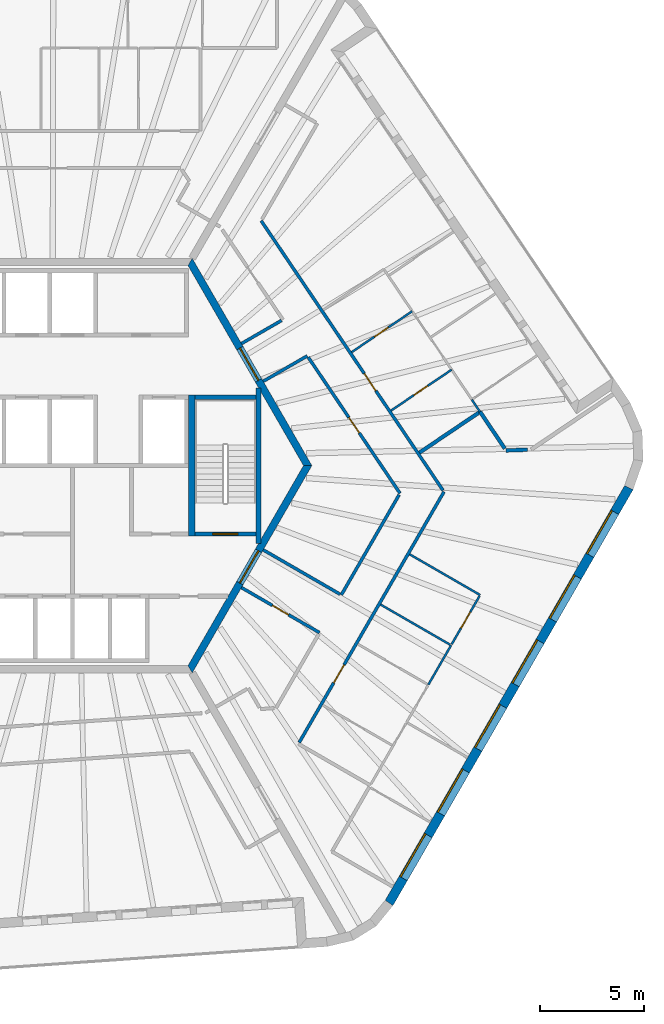
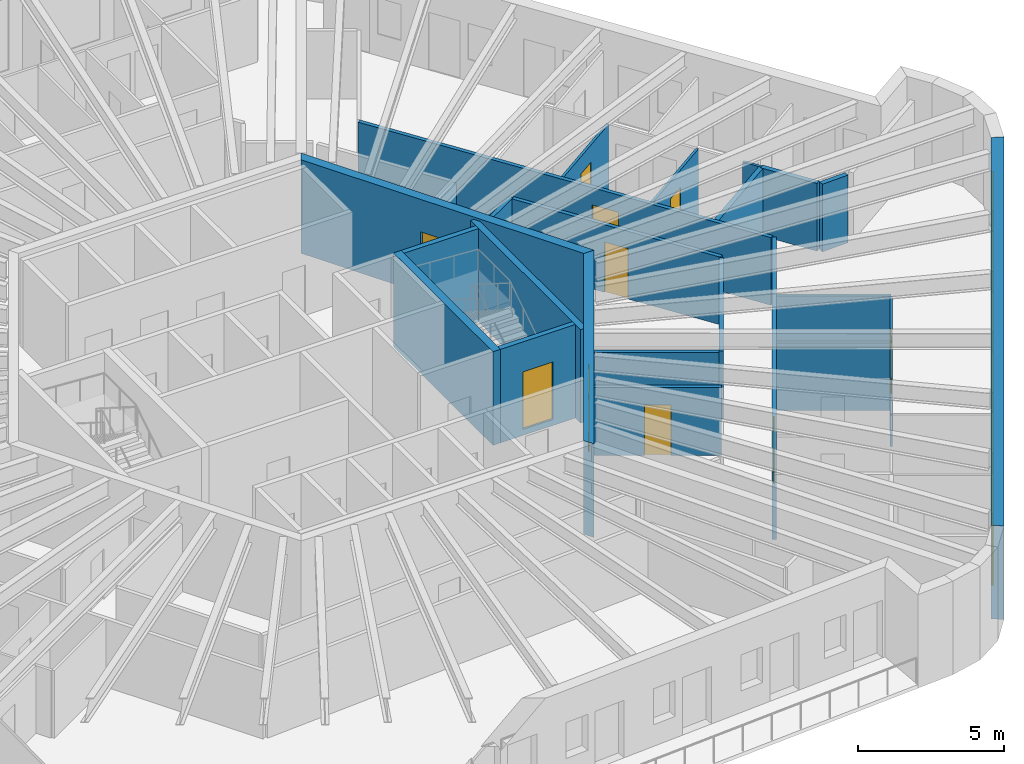
# One storey, part 6 of 11: 25 walls, 10 doors, 6 windows, 16 openings.
"""IFC4 building model written with IfcOpenShell, lengths in metres."""

from ifc_helpers import new_model, si_unit, direction, frame, frame_2d, origin, place, context, subcontext, project, spatial, polyline, rectangle, outline, extrude, material, layer, layer_set, type_object, element, fill, save


model = new_model("IFC4")

# Units and contexts
model_context = context("Model", 3, precision=1e-05, world=origin(), true_north=direction((0.0, 1.0)))
body_context = subcontext(model_context, "Body", "Model", "MODEL_VIEW")
ifc_project = project(units=[si_unit("LENGTHUNIT", "METRE"), si_unit("AREAUNIT", "SQUARE_METRE"), si_unit("VOLUMEUNIT", "CUBIC_METRE"), si_unit("PLANEANGLEUNIT", "RADIAN"), si_unit("MASSUNIT", "GRAM", prefix="KILO")], contexts=[model_context])

# Site, building, storey
site_placement = place(None, origin())
site = spatial("IfcSite", under=ifc_project, at=site_placement, CompositionType="ELEMENT")
building_placement = place(site_placement, origin())
building = spatial("IfcBuilding", under=site, at=building_placement, Name="Tarnside Tower", CompositionType="ELEMENT")
storey_placement = place(building_placement, frame((0.0, 0.0, 357.300048828125)))
storey = spatial("IfcBuildingStorey", under=building, at=storey_placement, Name="L86", CompositionType="ELEMENT", Elevation=357.300048828125)

# Walls
ifc_material_1 = material(Name="Gypsum board partition on steel studs", Category="steel")
ifc_layer_1 = layer(ifc_material_1, 0.10009765625)
ifc_layer_set_1 = layer_set([ifc_layer_1], Name="Bathroom wall 100")
wall_type_1 = type_object("IfcWallType", Name="Bathroom wall 100", PredefinedType="PARTITIONING", material=ifc_layer_set_1)
wall_1_placement = place(storey_placement, frame((18.26318359375, -8.66748046875, 0.0), z_axis=(0.0, 0.0, 1.0), x_axis=(-0.50002983664, -0.866008176907, 0.0)))
element("IfcWall", 1, at=wall_1_placement, inside=storey, type_object=wall_type_1, Name="Bathroom wall 27106", PredefinedType="PARTITIONING", context=body_context, shape_type="SweptSolid", body=[
    extrude(rectangle(XDim=2.199951171875, YDim=0.10009765625, at=frame_2d((1.10009765625, 0.0))), origin(), (0.0, 0.0, 1.0), 2.820068359375),
])
wall_2_placement = place(storey_placement, frame((18.2197265625, -8.642333984375, 0.0), z_axis=(0.0, 0.0, 1.0), x_axis=(-0.866016658288, 0.500015147339, 0.0)))
element("IfcWall", 2, at=wall_2_placement, inside=storey, type_object=wall_type_1, Name="Bathroom wall 27118", PredefinedType="PARTITIONING", context=body_context, shape_type="SweptSolid", body=[
    extrude(rectangle(XDim=3.875, YDim=0.10009765625, at=frame_2d((1.9375, 0.0))), origin(), (0.0, 0.0, 1.0), 2.820068359375),
])

# Wall, opening, door
wall_3_placement = place(storey_placement, frame((15.367431640625, 2.6552734375, 0.0), z_axis=(0.0, 0.0, 1.0), x_axis=(0.829033300448, 0.559199237078, 0.0)))
wall_3 = element("IfcWall", 3, at=wall_3_placement, inside=storey, type_object=wall_type_1, Name="Bathroom wall 27122", PredefinedType="PARTITIONING", context=body_context, shape_type="SweptSolid", body=[
    extrude(rectangle(XDim=3.525146484375, YDim=0.10009765625, at=frame_2d((1.7626953125, 0.0))), origin(), (0.0, 0.0, 1.0), 2.820068359375),
])
opening_1_placement = place(wall_3_placement, frame((1.324951171875, 0.0, 0.0)))
opening_1 = element("IfcOpeningElement", 4, at=opening_1_placement, cuts=wall_3, Name="Opening D-B1", PredefinedType="OPENING", context=body_context, shape_type="SweptSolid", body=[
    extrude(rectangle(XDim=0.800048828125, YDim=2.10009765625, at=frame_2d((0.39990234375, 1.050048828125))), frame((0.0, 0.06005859375, 0.0), z_axis=(0.0, -1.0, 0.0), x_axis=(1.0, 0.0, 0.0)), (0.0, 0.0, 1.0), 0.1201171875),
])
ifc_material_2 = material(Name="Timber door leaf", Category="wood")
door_type_1 = type_object("IfcDoorType", Name="Bathroom door 800", OperationType="NOTDEFINED", PredefinedType="DOOR", material=ifc_material_2)
door_1_placement = place(opening_1_placement, origin())
door_1 = element("IfcDoor", 5, at=door_1_placement, inside=storey, type_object=door_type_1, Name="Bathroom door 27045", OperationType="SINGLE_SWING_RIGHT", OverallHeight=2.10009765625, OverallWidth=0.800048828125, PredefinedType="DOOR", context=body_context, shape_type="SweptSolid", body=[
    extrude(rectangle(XDim=0.800048828125, YDim=2.10009765625, at=frame_2d((0.39990234375, 1.050048828125))), frame((0.0, 0.02490234375, 0.0), z_axis=(0.0, -1.0, 0.0), x_axis=(1.0, 0.0, 0.0)), (0.0, 0.0, 1.0), 0.050048828125),
])
fill(opening_1, door_1)

wall_4_placement = place(storey_placement, frame((16.388427734375, 7.4453125, 0.0), z_axis=(0.0, 0.0, 1.0), x_axis=(-0.829033300448, -0.559199237078, 0.0)))
wall_4 = element("IfcWall", 6, at=wall_4_placement, inside=storey, type_object=wall_type_1, Name="Bathroom wall 27125", PredefinedType="PARTITIONING", context=body_context, shape_type="SweptSolid", body=[
    extrude(rectangle(XDim=3.525146484375, YDim=0.10009765625, at=frame_2d((1.7626953125, 0.0))), origin(), (0.0, 0.0, 1.0), 2.820068359375),
])
opening_2_placement = place(wall_4_placement, frame((1.39990234375, 0.0, 0.0)))
opening_2 = element("IfcOpeningElement", 7, at=opening_2_placement, cuts=wall_4, Name="Opening D-B1", PredefinedType="OPENING", context=body_context, shape_type="SweptSolid", body=[
    extrude(rectangle(XDim=0.800048828125, YDim=2.10009765625, at=frame_2d((0.39990234375, 1.050048828125))), frame((0.0, 0.06005859375, 0.0), z_axis=(0.0, -1.0, 0.0), x_axis=(1.0, 0.0, 0.0)), (0.0, 0.0, 1.0), 0.1201171875),
])
door_2_placement = place(opening_2_placement, origin())
door_2 = element("IfcDoor", 8, at=door_2_placement, inside=storey, type_object=door_type_1, Name="Bathroom door 27056", OperationType="SINGLE_SWING_LEFT", OverallHeight=2.10009765625, OverallWidth=0.800048828125, PredefinedType="DOOR", context=body_context, shape_type="SweptSolid", body=[
    extrude(rectangle(XDim=0.800048828125, YDim=2.10009765625, at=frame_2d((0.39990234375, 1.050048828125))), frame((0.0, 0.02490234375, 0.0), z_axis=(0.0, -1.0, 0.0), x_axis=(1.0, 0.0, 0.0)), (0.0, 0.0, 1.0), 0.050048828125),
])
fill(opening_2, door_2)

# Wall
wall_5_placement = place(storey_placement, frame((19.660888671875, 2.59375, 0.0), z_axis=(0.0, 0.0, 1.0), x_axis=(-0.559278611344, 0.828979755418, 0.0)))
element("IfcWall", 9, at=wall_5_placement, inside=storey, type_object=wall_type_1, Name="Bathroom wall 27126", PredefinedType="PARTITIONING", context=body_context, shape_type="SweptSolid", body=[
    extrude(rectangle(XDim=0.71240234375, YDim=0.10009765625, at=frame_2d((0.356201171875, 0.0))), origin(), (0.0, 0.0, 1.0), 2.820068359375),
])

# Wall, opening, door
ifc_material_3 = material(Name="Concrete C50/60", Category="concrete")
ifc_layer_2 = layer(ifc_material_3, 0.35009765625)
ifc_layer_set_2 = layer_set([ifc_layer_2], Name="Core wall Z4 350 C50/60")
wall_type_2 = type_object("IfcWallType", Name="Core wall Z4 350 C50/60", PredefinedType="SHEAR", material=ifc_layer_set_2)
wall_6_placement = place(storey_placement, frame((5.672607421875, -9.824951171875, -0.150146484375), z_axis=(0.0, 0.0, 1.0), x_axis=(0.499995046907, 0.866028263435, 0.0)))
wall_6 = element("IfcWall", 10, at=wall_6_placement, inside=storey, type_object=wall_type_2, Name="L86 core wall face 5", PredefinedType="SHEAR", context=body_context, shape_type="SweptSolid", body=[
    extrude(outline(polyline([(-0.10107421875, -0.175048828125), (11.44580078125, -0.175048828125), (11.24365234375, 0.175048828125), (0.10107421875, 0.175048828125), (-0.10107421875, -0.175048828125)])), origin(), (0.0, 0.0, 1.0), 3.900146484375),
])
opening_3_placement = place(wall_6_placement, frame((4.80126953125, 0.0, 0.14990234375)))
opening_3 = element("IfcOpeningElement", 11, at=opening_3_placement, cuts=wall_6, Name="Opening CD-FFL", PredefinedType="OPENING", context=body_context, shape_type="SweptSolid", body=[
    extrude(rectangle(XDim=1.800048828125, YDim=2.39990234375, at=frame_2d((0.89990234375, 1.199951171875))), frame((0.0, 0.18505859375, 0.0), z_axis=(0.0, -1.0, 0.0), x_axis=(1.0, 0.0, 0.0)), (0.0, 0.0, 1.0), 0.3701171875),
])
ifc_material_4 = material(Name="Steel fire door", Category="steel")
door_type_2 = type_object("IfcDoorType", Name="Firefighting lobby double door FD60S 1800x2400", OperationType="NOTDEFINED", PredefinedType="DOOR", material=ifc_material_4)
door_3_placement = place(opening_3_placement, origin())
door_3 = element("IfcDoor", 12, at=door_3_placement, inside=storey, type_object=door_type_2, Name="L86 core door P4", OperationType="DOUBLE_DOOR_SINGLE_SWING", OverallHeight=2.39990234375, OverallWidth=1.800048828125, PredefinedType="DOOR", context=body_context, shape_type="SweptSolid", body=[
    extrude(rectangle(XDim=1.800048828125, YDim=2.39990234375, at=frame_2d((0.89990234375, 1.199951171875))), frame((0.0, 0.02490234375, 0.0), z_axis=(0.0, -1.0, 0.0), x_axis=(1.0, 0.0, 0.0)), (0.0, 0.0, 1.0), 0.050048828125),
])
fill(opening_3, door_3)

wall_7_placement = place(storey_placement, frame((11.344970703125, 0.0, -0.150146484375), z_axis=(0.0, 0.0, 1.0), x_axis=(-0.499995046907, 0.866028263435, 0.0)))
wall_7 = element("IfcWall", 13, at=wall_7_placement, inside=storey, type_object=wall_type_2, Name="L86 core wall face 6", PredefinedType="SHEAR", context=body_context, shape_type="SweptSolid", body=[
    extrude(outline(polyline([(-0.10107421875, -0.175048828125), (11.44580078125, -0.175048828125), (11.24365234375, 0.175048828125), (0.10107421875, 0.175048828125), (-0.10107421875, -0.175048828125)])), origin(), (0.0, 0.0, 1.0), 3.900146484375),
])
opening_4_placement = place(wall_7_placement, frame((4.74365234375, 0.0, 0.14990234375)))
opening_4 = element("IfcOpeningElement", 14, at=opening_4_placement, cuts=wall_7, Name="Opening CD-LOB", PredefinedType="OPENING", context=body_context, shape_type="SweptSolid", body=[
    extrude(rectangle(XDim=1.800048828125, YDim=2.39990234375, at=frame_2d((0.89990234375, 1.199951171875))), frame((0.0, 0.18505859375, 0.0), z_axis=(0.0, -1.0, 0.0), x_axis=(1.0, 0.0, 0.0)), (0.0, 0.0, 1.0), 0.3701171875),
])
door_type_3 = type_object("IfcDoorType", Name="Lobby double door FD30S 1800x2400", OperationType="NOTDEFINED", PredefinedType="DOOR", material=ifc_material_4)
door_4_placement = place(opening_4_placement, origin())
door_4 = element("IfcDoor", 15, at=door_4_placement, inside=storey, type_object=door_type_3, Name="L86 core door P2", OperationType="DOUBLE_DOOR_SINGLE_SWING", OverallHeight=2.39990234375, OverallWidth=1.800048828125, PredefinedType="DOOR", context=body_context, shape_type="SweptSolid", body=[
    extrude(rectangle(XDim=1.800048828125, YDim=2.39990234375, at=frame_2d((0.89990234375, 1.199951171875))), frame((0.0, 0.02490234375, 0.0), z_axis=(0.0, -1.0, 0.0), x_axis=(1.0, 0.0, 0.0)), (0.0, 0.0, 1.0), 0.050048828125),
])
fill(opening_4, door_4)

ifc_layer_3 = layer(ifc_material_1, 0.14990234375)
ifc_layer_set_3 = layer_set([ifc_layer_3], Name="Corridor wall 150 EI 60")
wall_type_3 = type_object("IfcWallType", Name="Corridor wall 150 EI 60", PredefinedType="PARTITIONING", material=ifc_layer_set_3)
wall_8_placement = place(storey_placement, frame((10.9365234375, -13.357421875, 0.0), z_axis=(0.0, 0.0, 1.0), x_axis=(0.499993317597, 0.866029261837, 0.0)))
wall_8 = element("IfcWall", 16, at=wall_8_placement, inside=storey, type_object=wall_type_3, Name="Corridor wall 27043", PredefinedType="PARTITIONING", context=body_context, shape_type="SweptSolid", body=[
    extrude(rectangle(XDim=13.966064453125, YDim=0.14990234375, at=frame_2d((6.98291015625, 0.0))), origin(), (0.0, 0.0, 1.0), 2.820068359375),
])
opening_5_placement = place(wall_8_placement, frame((3.324951171875, 0.0, 0.0)))
opening_5 = element("IfcOpeningElement", 17, at=opening_5_placement, cuts=wall_8, Name="Opening D-E1", PredefinedType="OPENING", context=body_context, shape_type="SweptSolid", body=[
    extrude(rectangle(XDim=1.0, YDim=2.10009765625, at=frame_2d((0.5, 1.050048828125))), frame((0.0, 0.0849609375, 0.0), z_axis=(0.0, -1.0, 0.0), x_axis=(1.0, 0.0, 0.0)), (0.0, 0.0, 1.0), 0.169921875),
])
door_type_4 = type_object("IfcDoorType", Name="Unit entrance door 1000 FD30S", OperationType="NOTDEFINED", PredefinedType="DOOR", material=ifc_material_2)
door_5_placement = place(opening_5_placement, origin())
door_5 = element("IfcDoor", 18, at=door_5_placement, inside=storey, type_object=door_type_4, Name="Unit door 27035", OperationType="SINGLE_SWING_LEFT", OverallHeight=2.10009765625, OverallWidth=1.0, PredefinedType="DOOR", context=body_context, shape_type="SweptSolid", body=[
    extrude(rectangle(XDim=1.0, YDim=2.10009765625, at=frame_2d((0.5, 1.050048828125))), frame((0.0, 0.02490234375, 0.0), z_axis=(0.0, -1.0, 0.0), x_axis=(1.0, 0.0, 0.0)), (0.0, 0.0, 1.0), 0.050048828125),
])
fill(opening_5, door_5)

wall_9_placement = place(storey_placement, frame((17.872802734375, -1.193359375, 0.0), z_axis=(0.0, 0.0, 1.0), x_axis=(-0.559195650252, 0.829035719821, 0.0)))
wall_9 = element("IfcWall", 19, at=wall_9_placement, inside=storey, type_object=wall_type_3, Name="Corridor wall 27044", PredefinedType="PARTITIONING", context=body_context, shape_type="SweptSolid", body=[
    extrude(rectangle(XDim=15.687744140625, YDim=0.14990234375, at=frame_2d((7.84375, 0.0))), origin(), (0.0, 0.0, 1.0), 2.820068359375),
])
opening_6_placement = place(wall_9_placement, frame((5.791748046875, 0.0, 0.0)))
opening_6 = element("IfcOpeningElement", 20, at=opening_6_placement, cuts=wall_9, Name="Opening D-E1", PredefinedType="OPENING", context=body_context, shape_type="SweptSolid", body=[
    extrude(rectangle(XDim=1.0, YDim=2.10009765625, at=frame_2d((0.5, 1.050048828125))), frame((0.0, 0.0849609375, 0.0), z_axis=(0.0, -1.0, 0.0), x_axis=(1.0, 0.0, 0.0)), (0.0, 0.0, 1.0), 0.169921875),
])
door_6_placement = place(opening_6_placement, origin())
door_6 = element("IfcDoor", 21, at=door_6_placement, inside=storey, type_object=door_type_4, Name="Unit door 27044", OperationType="SINGLE_SWING_LEFT", OverallHeight=2.10009765625, OverallWidth=1.0, PredefinedType="DOOR", context=body_context, shape_type="SweptSolid", body=[
    extrude(rectangle(XDim=1.0, YDim=2.10009765625, at=frame_2d((0.5, 1.050048828125))), frame((0.0, 0.02490234375, 0.0), z_axis=(0.0, -1.0, 0.0), x_axis=(1.0, 0.0, 0.0)), (0.0, 0.0, 1.0), 0.050048828125),
])
fill(opening_6, door_6)

# Wall
wall_10_placement = place(storey_placement, frame((9.19970703125, 4.065673828125, 0.0), z_axis=(0.0, 0.0, 1.0), x_axis=(0.866038240688, 0.499977765172, 0.0)))
element("IfcWall", 22, at=wall_10_placement, inside=storey, type_object=wall_type_3, Name="Corridor wall 27058", PredefinedType="PARTITIONING", context=body_context, shape_type="SweptSolid", body=[
    extrude(rectangle(XDim=2.45556640625, YDim=0.14990234375, at=frame_2d((1.227783203125, 0.0))), origin(), (0.0, 0.0, 1.0), 2.820068359375),
])

# Wall, opening, door
wall_11_placement = place(storey_placement, frame((11.368408203125, 5.231201171875, 0.0), z_axis=(0.0, 0.0, 1.0), x_axis=(0.55919388604, -0.829036909803, 0.0)))
wall_11 = element("IfcWall", 23, at=wall_11_placement, inside=storey, type_object=wall_type_3, Name="Corridor wall 27059", PredefinedType="PARTITIONING", context=body_context, shape_type="SweptSolid", body=[
    extrude(rectangle(XDim=7.921875, YDim=0.14990234375, at=frame_2d((3.9609375, 0.0))), origin(), (0.0, 0.0, 1.0), 2.820068359375),
])
opening_7_placement = place(wall_11_placement, frame((3.510986328125, 0.0, 0.0)))
opening_7 = element("IfcOpeningElement", 24, at=opening_7_placement, cuts=wall_11, Name="Opening D-S1", PredefinedType="OPENING", context=body_context, shape_type="SweptSolid", body=[
    extrude(rectangle(XDim=0.89990234375, YDim=2.10009765625, at=frame_2d((0.449951171875, 1.050048828125))), frame((0.0, 0.0849609375, 0.0), z_axis=(0.0, -1.0, 0.0), x_axis=(1.0, 0.0, 0.0)), (0.0, 0.0, 1.0), 0.169921875),
])
door_type_5 = type_object("IfcDoorType", Name="Service room door 900 FD30S", OperationType="NOTDEFINED", PredefinedType="DOOR", material=ifc_material_2)
door_7_placement = place(opening_7_placement, origin())
door_7 = element("IfcDoor", 25, at=door_7_placement, inside=storey, type_object=door_type_5, Name="Service door 27063", OperationType="SINGLE_SWING_RIGHT", OverallHeight=2.10009765625, OverallWidth=0.89990234375, PredefinedType="DOOR", context=body_context, shape_type="SweptSolid", body=[
    extrude(rectangle(XDim=0.89990234375, YDim=2.10009765625, at=frame_2d((0.449951171875, 1.050048828125))), frame((0.0, 0.02490234375, 0.0), z_axis=(0.0, -1.0, 0.0), x_axis=(1.0, 0.0, 0.0)), (0.0, 0.0, 1.0), 0.050048828125),
])
fill(opening_7, door_7)

# Walls
wall_12_placement = place(storey_placement, frame((15.756591796875, -1.40869140625, 0.0), z_axis=(0.0, 0.0, 1.0), x_axis=(-0.500002739321, -0.866023822231, 0.0)))
element("IfcWall", 26, at=wall_12_placement, inside=storey, type_object=wall_type_3, Name="Corridor wall 27060", PredefinedType="PARTITIONING", context=body_context, shape_type="SweptSolid", body=[
    extrude(rectangle(XDim=5.57958984375, YDim=0.14990234375, at=frame_2d((2.789794921875, 0.0))), origin(), (0.0, 0.0, 1.0), 2.820068359375),
])
wall_13_placement = place(storey_placement, frame((12.90185546875, -6.203125, 0.0), z_axis=(0.0, 0.0, 1.0), x_axis=(-0.866023907196, 0.500002592159, 0.0)))
element("IfcWall", 27, at=wall_13_placement, inside=storey, type_object=wall_type_3, Name="Corridor wall 27061", PredefinedType="PARTITIONING", context=body_context, shape_type="SweptSolid", body=[
    extrude(rectangle(XDim=4.27490234375, YDim=0.14990234375, at=frame_2d((2.137451171875, 0.0))), origin(), (0.0, 0.0, 1.0), 2.820068359375),
])

# Wall, opening, door
wall_14_placement = place(storey_placement, frame((8.149658203125, -5.88427734375, 0.0), z_axis=(0.0, 0.0, 1.0), x_axis=(0.866027639635, -0.499996127374, 0.0)))
wall_14 = element("IfcWall", 28, at=wall_14_placement, inside=storey, type_object=wall_type_3, Name="Corridor wall 27062", PredefinedType="PARTITIONING", context=body_context, shape_type="SweptSolid", body=[
    extrude(rectangle(XDim=4.35009765625, YDim=0.14990234375, at=frame_2d((2.175048828125, 0.0))), origin(), (0.0, 0.0, 1.0), 2.820068359375),
])
opening_8_placement = place(wall_14_placement, frame((1.72509765625, 0.0, 0.0)))
opening_8 = element("IfcOpeningElement", 29, at=opening_8_placement, cuts=wall_14, Name="Opening D-S1", PredefinedType="OPENING", context=body_context, shape_type="SweptSolid", body=[
    extrude(rectangle(XDim=0.89990234375, YDim=2.10009765625, at=frame_2d((0.449951171875, 1.050048828125))), frame((0.0, 0.0849609375, 0.0), z_axis=(0.0, -1.0, 0.0), x_axis=(1.0, 0.0, 0.0)), (0.0, 0.0, 1.0), 0.169921875),
])
door_8_placement = place(opening_8_placement, origin())
door_8 = element("IfcDoor", 30, at=door_8_placement, inside=storey, type_object=door_type_5, Name="Service door 27064", OperationType="SINGLE_SWING_LEFT", OverallHeight=2.10009765625, OverallWidth=0.89990234375, PredefinedType="DOOR", context=body_context, shape_type="SweptSolid", body=[
    extrude(rectangle(XDim=0.89990234375, YDim=2.10009765625, at=frame_2d((0.449951171875, 1.050048828125))), frame((0.0, 0.02490234375, 0.0), z_axis=(0.0, -1.0, 0.0), x_axis=(1.0, 0.0, 0.0)), (0.0, 0.0, 1.0), 0.050048828125),
])
fill(opening_8, door_8)

# Walls
wall_15_placement = place(storey_placement, frame((10.083984375, 7.001220703125, 0.0), z_axis=(0.0, 0.0, 1.0), x_axis=(-0.865994457699, -0.500053596362, 0.0)))
element("IfcWall", 31, at=wall_15_placement, inside=storey, type_object=wall_type_3, Name="Corridor wall 27069", PredefinedType="PARTITIONING", context=body_context, shape_type="SweptSolid", body=[
    extrude(rectangle(XDim=2.233642578125, YDim=0.14990234375, at=frame_2d((1.11669921875, 0.0))), origin(), (0.0, 0.0, 1.0), 2.820068359375),
])
ifc_layer_4 = layer(ifc_material_1, 0.179931640625)
ifc_layer_set_4 = layer_set([ifc_layer_4], Name="Demising wall 180 EI 60")
wall_type_4 = type_object("IfcWallType", Name="Demising wall 180 EI 60", PredefinedType="PARTITIONING", material=ifc_layer_set_4)
wall_16_placement = place(storey_placement, frame((19.65966796875, 2.595458984375, 0.0), z_axis=(0.0, 0.0, 1.0), x_axis=(-0.829033300448, -0.559199237078, 0.0)))
element("IfcWall", 32, at=wall_16_placement, inside=storey, type_object=wall_type_4, Name="Demising wall 27109", PredefinedType="PARTITIONING", context=body_context, shape_type="SweptSolid", body=[
    extrude(rectangle(XDim=3.525146484375, YDim=0.179931640625, at=frame_2d((1.7626953125, 0.0))), origin(), (0.0, 0.0, 1.0), 2.820068359375),
])
wall_17_placement = place(storey_placement, frame((21.955322265625, 0.7666015625, 0.0), z_axis=(0.0, 0.0, 1.0), x_axis=(-0.999394211814, -0.034802433729, 0.0)))
element("IfcWall", 33, at=wall_17_placement, inside=storey, type_object=wall_type_4, Name="Demising wall 27111", PredefinedType="PARTITIONING", context=body_context, shape_type="SweptSolid", body=[
    extrude(rectangle(XDim=1.038330078125, YDim=0.179931640625, at=frame_2d((0.51904296875, 0.0))), origin(), (0.0, 0.0, 1.0), 2.820068359375),
])
wall_18_placement = place(storey_placement, frame((20.8583984375, 0.818359375, 0.0), z_axis=(0.0, 0.0, 1.0), x_axis=(-0.55920528272, 0.829029222512, 0.0)))
element("IfcWall", 34, at=wall_18_placement, inside=storey, type_object=wall_type_4, Name="Demising wall 27112", PredefinedType="PARTITIONING", context=body_context, shape_type="SweptSolid", body=[
    extrude(rectangle(XDim=2.147216796875, YDim=0.179931640625, at=frame_2d((1.07373046875, 0.0))), origin(), (0.0, 0.0, 1.0), 2.820068359375),
])
ifc_material_5 = material(Name="Concrete C40/50", Category="concrete")
ifc_layer_5 = layer(ifc_material_5, 0.199951171875)
ifc_layer_set_5 = layer_set([ifc_layer_5], Name="Lift shaft wall 200 C40/50")
wall_type_5 = type_object("IfcWallType", Name="Lift shaft wall 200 C40/50", PredefinedType="SHEAR", material=ifc_layer_set_5)
wall_19_placement = place(storey_placement, frame((5.89990234375, 3.300048828125, -0.25), z_axis=(0.0, 0.0, 1.0), x_axis=(1.0, 0.0, 0.0)))
element("IfcWall", 35, at=wall_19_placement, inside=storey, type_object=wall_type_5, Name="L86 stair 1 enclosure cap wall n", PredefinedType="SHEAR", context=body_context, shape_type="SweptSolid", body=[
    extrude(rectangle(XDim=2.9501953125, YDim=0.199951171875, at=frame_2d((1.47509765625, 0.0))), origin(), (0.0, 0.0, 1.0), 3.89990234375),
])

# Wall, opening, door
wall_20_placement = place(storey_placement, frame((5.89990234375, -3.300048828125, -0.25), z_axis=(0.0, 0.0, 1.0), x_axis=(1.0, 0.0, 0.0)))
wall_20 = element("IfcWall", 36, at=wall_20_placement, inside=storey, type_object=wall_type_5, Name="L86 stair 1 enclosure cap wall s", PredefinedType="SHEAR", context=body_context, shape_type="SweptSolid", body=[
    extrude(rectangle(XDim=2.9501953125, YDim=0.199951171875, at=frame_2d((1.47509765625, 0.0))), origin(), (0.0, 0.0, 1.0), 3.89990234375),
])
opening_9_placement = place(wall_20_placement, frame((0.875, 0.0, 0.25)))
opening_9 = element("IfcOpeningElement", 37, at=opening_9_placement, cuts=wall_20, Name="Opening CD-STR", PredefinedType="OPENING", context=body_context, shape_type="SweptSolid", body=[
    extrude(rectangle(XDim=1.199951171875, YDim=2.39990234375, at=frame_2d((0.60009765625, 1.199951171875))), frame((0.0, 0.10986328125, 0.0), z_axis=(0.0, -1.0, 0.0), x_axis=(1.0, 0.0, 0.0)), (0.0, 0.0, 1.0), 0.219970703125),
])
door_type_6 = type_object("IfcDoorType", Name="Stair door FD60S 1200x2400", OperationType="NOTDEFINED", PredefinedType="DOOR", material=ifc_material_4)
door_9_placement = place(opening_9_placement, origin())
door_9 = element("IfcDoor", 38, at=door_9_placement, inside=storey, type_object=door_type_6, Name="L86 stair 1 door", OperationType="SINGLE_SWING_LEFT", OverallHeight=2.39990234375, OverallWidth=1.199951171875, PredefinedType="DOOR", context=body_context, shape_type="SweptSolid", body=[
    extrude(rectangle(XDim=1.199951171875, YDim=2.39990234375, at=frame_2d((0.60009765625, 1.199951171875))), frame((0.0, 0.02490234375, 0.0), z_axis=(0.0, -1.0, 0.0), x_axis=(1.0, 0.0, 0.0)), (0.0, 0.0, 1.0), 0.050048828125),
])
fill(opening_9, door_9)

# Wall
ifc_layer_6 = layer(ifc_material_1, 0.10009765625)
ifc_layer_set_6 = layer_set([ifc_layer_6], Name="Partition 100")
wall_type_6 = type_object("IfcWallType", Name="Partition 100", PredefinedType="PARTITIONING", material=ifc_layer_set_6)
wall_21_placement = place(storey_placement, frame((16.263916015625, -4.280029296875, 0.0), z_axis=(0.0, 0.0, 1.0), x_axis=(0.866037464623, -0.499979109433, 0.0)))
element("IfcWall", 39, at=wall_21_placement, inside=storey, type_object=wall_type_6, Name="Partition wall 27107", PredefinedType="PARTITIONING", context=body_context, shape_type="SweptSolid", body=[
    extrude(rectangle(XDim=3.925048828125, YDim=0.10009765625, at=frame_2d((1.96240234375, 0.0))), origin(), (0.0, 0.0, 1.0), 2.820068359375),
])

# Wall, opening, door
wall_22_placement = place(storey_placement, frame((19.63818359375, -6.285888671875, 0.0), z_axis=(0.0, 0.0, 1.0), x_axis=(-0.500048589285, -0.86599734893, 0.0)))
wall_22 = element("IfcWall", 40, at=wall_22_placement, inside=storey, type_object=wall_type_6, Name="Partition wall 27108", PredefinedType="PARTITIONING", context=body_context, shape_type="SweptSolid", body=[
    extrude(rectangle(XDim=2.699951171875, YDim=0.10009765625, at=frame_2d((1.35009765625, 0.0))), origin(), (0.0, 0.0, 1.0), 2.820068359375),
])
opening_10_placement = place(wall_22_placement, frame((0.89990234375, 0.0, 0.0)))
opening_10 = element("IfcOpeningElement", 41, at=opening_10_placement, cuts=wall_22, Name="Opening D-I1", PredefinedType="OPENING", context=body_context, shape_type="SweptSolid", body=[
    extrude(rectangle(XDim=0.89990234375, YDim=2.10009765625, at=frame_2d((0.449951171875, 1.050048828125))), frame((0.0, 0.06005859375, 0.0), z_axis=(0.0, -1.0, 0.0), x_axis=(1.0, 0.0, 0.0)), (0.0, 0.0, 1.0), 0.1201171875),
])
door_type_7 = type_object("IfcDoorType", Name="Internal door 900", OperationType="NOTDEFINED", PredefinedType="DOOR", material=ifc_material_2)
door_10_placement = place(opening_10_placement, origin())
door_10 = element("IfcDoor", 42, at=door_10_placement, inside=storey, type_object=door_type_7, Name="Internal door 27043", OperationType="SINGLE_SWING_LEFT", OverallHeight=2.10009765625, OverallWidth=0.89990234375, PredefinedType="DOOR", context=body_context, shape_type="SweptSolid", body=[
    extrude(rectangle(XDim=0.89990234375, YDim=2.10009765625, at=frame_2d((0.449951171875, 1.050048828125))), frame((0.0, 0.02490234375, 0.0), z_axis=(0.0, -1.0, 0.0), x_axis=(1.0, 0.0, 0.0)), (0.0, 0.0, 1.0), 0.050048828125),
])
fill(opening_10, door_10)

# Walls
ifc_layer_7 = layer(ifc_material_5, 0.25)
ifc_layer_set_7 = layer_set([ifc_layer_7], Name="Stair enclosure wall 250 C40/50")
wall_type_7 = type_object("IfcWallType", Name="Stair enclosure wall 250 C40/50", PredefinedType="SHEAR", material=ifc_layer_set_7)
wall_23_placement = place(storey_placement, frame((8.97509765625, -3.7548828125, -0.25), z_axis=(0.0, 0.0, 1.0), x_axis=(0.0, 1.0, 0.0)))
element("IfcWall", 43, at=wall_23_placement, inside=storey, type_object=wall_type_7, Name="L86 stair 1 enclosure wall outer", PredefinedType="SHEAR", context=body_context, shape_type="SweptSolid", body=[
    extrude(rectangle(XDim=7.509765625, YDim=0.25, at=frame_2d((3.7548828125, 0.0))), origin(), (0.0, 0.0, 1.0), 3.89990234375),
])
ifc_layer_8 = layer(ifc_material_5, 0.300048828125)
ifc_layer_set_8 = layer_set([ifc_layer_8], Name="Stair enclosure wall 300 C40/50")
wall_type_8 = type_object("IfcWallType", Name="Stair enclosure wall 300 C40/50", PredefinedType="SHEAR", material=ifc_layer_set_8)
wall_24_placement = place(storey_placement, frame((5.75, -3.39990234375, -0.25), z_axis=(0.0, 0.0, 1.0), x_axis=(0.0, 1.0, 0.0)))
element("IfcWall", 44, at=wall_24_placement, inside=storey, type_object=wall_type_8, Name="L86 stair 1 enclosure wall inner", PredefinedType="SHEAR", context=body_context, shape_type="SweptSolid", body=[
    extrude(rectangle(XDim=6.7998046875, YDim=0.300048828125, at=frame_2d((3.39990234375, 0.0))), origin(), (0.0, 0.0, 1.0), 3.89990234375),
])

# Wall, openings, windows
ifc_material_6 = material(Name="Facing brick", Category="masonry")
ifc_layer_9 = layer(ifc_material_6, 0.10205078125)
ifc_material_7 = material(Name="Concrete C60/75 precast", Category="concrete")
ifc_layer_10 = layer(ifc_material_7, 0.248046875)
ifc_material_8 = material(Name="Mineral wool insulation")
ifc_layer_11 = layer(ifc_material_8, 0.10009765625)
ifc_layer_set_9 = layer_set([ifc_layer_9, ifc_layer_10, ifc_layer_11], Name="Tube wall 450 brick faced")
wall_type_9 = type_object("IfcWallType", Name="Tube wall 450 brick faced", PredefinedType="SOLIDWALL", material=ifc_layer_set_9)
wall_25_placement = place(storey_placement, frame((15.272705078125, -21.096923828125, -0.150146484375), z_axis=(0.0, 0.0, 1.0), x_axis=(0.499997453958, 0.866026873738, 0.0)))
wall_25 = element("IfcWall", 45, at=wall_25_placement, inside=storey, type_object=wall_type_9, Name="Tube wall L86 F5 flush 24", PredefinedType="SOLIDWALL", context=body_context, shape_type="SweptSolid", body=[
    extrude(outline(polyline([(-0.018310546875, -0.22509765625), (23.15234375, -0.22509765625), (23.1103515625, 0.22509765625), (0.018310546875, 0.22509765625), (-0.018310546875, -0.22509765625)])), origin(), (0.0, 0.0, 1.0), 3.900146484375),
])
opening_11_placement = place(wall_25_placement, frame((1.36572265625, 0.0, 0.449951171875)))
opening_11 = element("IfcOpeningElement", 46, at=opening_11_placement, cuts=wall_25, Name="Opening WP", PredefinedType="OPENING", context=body_context, shape_type="SweptSolid", body=[
    extrude(rectangle(XDim=2.39990234375, YDim=3.0, at=frame_2d((1.199951171875, 1.5))), frame((0.0, 0.23486328125, 0.0), z_axis=(0.0, -1.0, 0.0), x_axis=(1.0, 0.0, 0.0)), (0.0, 0.0, 1.0), 0.469970703125),
])
opening_12_placement = place(wall_25_placement, frame((4.9658203125, 0.0, 0.449951171875)))
opening_12 = element("IfcOpeningElement", 47, at=opening_12_placement, cuts=wall_25, Name="Opening WP", PredefinedType="OPENING", context=body_context, shape_type="SweptSolid", body=[
    extrude(rectangle(XDim=2.39990234375, YDim=3.0, at=frame_2d((1.199951171875, 1.5))), frame((0.0, 0.23486328125, 0.0), z_axis=(0.0, -1.0, 0.0), x_axis=(1.0, 0.0, 0.0)), (0.0, 0.0, 1.0), 0.469970703125),
])
opening_13_placement = place(wall_25_placement, frame((8.56591796875, 0.0, 0.449951171875)))
opening_13 = element("IfcOpeningElement", 48, at=opening_13_placement, cuts=wall_25, Name="Opening WP", PredefinedType="OPENING", context=body_context, shape_type="SweptSolid", body=[
    extrude(rectangle(XDim=2.39990234375, YDim=3.0, at=frame_2d((1.199951171875, 1.5))), frame((0.0, 0.23486328125, 0.0), z_axis=(0.0, -1.0, 0.0), x_axis=(1.0, 0.0, 0.0)), (0.0, 0.0, 1.0), 0.469970703125),
])
opening_14_placement = place(wall_25_placement, frame((12.165771484375, 0.0, 0.449951171875)))
opening_14 = element("IfcOpeningElement", 49, at=opening_14_placement, cuts=wall_25, Name="Opening WP", PredefinedType="OPENING", context=body_context, shape_type="SweptSolid", body=[
    extrude(rectangle(XDim=2.39990234375, YDim=3.0, at=frame_2d((1.199951171875, 1.5))), frame((0.0, 0.23486328125, 0.0), z_axis=(0.0, -1.0, 0.0), x_axis=(1.0, 0.0, 0.0)), (0.0, 0.0, 1.0), 0.469970703125),
])
opening_15_placement = place(wall_25_placement, frame((15.765869140625, 0.0, 0.449951171875)))
opening_15 = element("IfcOpeningElement", 50, at=opening_15_placement, cuts=wall_25, Name="Opening WP", PredefinedType="OPENING", context=body_context, shape_type="SweptSolid", body=[
    extrude(rectangle(XDim=2.39990234375, YDim=3.0, at=frame_2d((1.199951171875, 1.5))), frame((0.0, 0.23486328125, 0.0), z_axis=(0.0, -1.0, 0.0), x_axis=(1.0, 0.0, 0.0)), (0.0, 0.0, 1.0), 0.469970703125),
])
opening_16_placement = place(wall_25_placement, frame((19.36572265625, 0.0, 0.449951171875)))
opening_16 = element("IfcOpeningElement", 51, at=opening_16_placement, cuts=wall_25, Name="Opening WP", PredefinedType="OPENING", context=body_context, shape_type="SweptSolid", body=[
    extrude(rectangle(XDim=2.39990234375, YDim=3.0, at=frame_2d((1.199951171875, 1.5))), frame((0.0, 0.23486328125, 0.0), z_axis=(0.0, -1.0, 0.0), x_axis=(1.0, 0.0, 0.0)), (0.0, 0.0, 1.0), 0.469970703125),
])
ifc_material_9 = material(Name="Aluminium-framed double glazing", Category="aluminium")
window_type = type_object("IfcWindowType", Name="Penthouse window 2400 x 3000", PartitioningType="DOUBLE_PANEL_VERTICAL", PredefinedType="WINDOW", material=ifc_material_9)
window_1_placement = place(opening_11_placement, frame((0.0, 0.1552734375, 0.0)))
window_1 = element("IfcWindow", 52, at=window_1_placement, inside=storey, type_object=window_type, Name="E.WN.L86.F5.00", OverallHeight=3.0, OverallWidth=2.39990234375, PartitioningType="DOUBLE_PANEL_VERTICAL", PredefinedType="WINDOW", context=body_context, shape_type="SweptSolid", body=[
    extrude(rectangle(XDim=2.39990234375, YDim=3.0, at=frame_2d((1.199951171875, 1.5))), frame((0.0, 0.030029296875, 0.0), z_axis=(0.0, -1.0, 0.0), x_axis=(1.0, 0.0, 0.0)), (0.0, 0.0, 1.0), 0.06005859375),
])
fill(opening_11, window_1)
window_2_placement = place(opening_12_placement, frame((0.0, 0.1552734375, 0.0)))
window_2 = element("IfcWindow", 53, at=window_2_placement, inside=storey, type_object=window_type, Name="E.WN.L86.F5.01", OverallHeight=3.0, OverallWidth=2.39990234375, PartitioningType="DOUBLE_PANEL_VERTICAL", PredefinedType="WINDOW", context=body_context, shape_type="SweptSolid", body=[
    extrude(rectangle(XDim=2.39990234375, YDim=3.0, at=frame_2d((1.199951171875, 1.5))), frame((0.0, 0.030029296875, 0.0), z_axis=(0.0, -1.0, 0.0), x_axis=(1.0, 0.0, 0.0)), (0.0, 0.0, 1.0), 0.06005859375),
])
fill(opening_12, window_2)
window_3_placement = place(opening_13_placement, frame((0.0, 0.1552734375, 0.0)))
window_3 = element("IfcWindow", 54, at=window_3_placement, inside=storey, type_object=window_type, Name="E.WN.L86.F5.02", OverallHeight=3.0, OverallWidth=2.39990234375, PartitioningType="DOUBLE_PANEL_VERTICAL", PredefinedType="WINDOW", context=body_context, shape_type="SweptSolid", body=[
    extrude(rectangle(XDim=2.39990234375, YDim=3.0, at=frame_2d((1.199951171875, 1.5))), frame((0.0, 0.030029296875, 0.0), z_axis=(0.0, -1.0, 0.0), x_axis=(1.0, 0.0, 0.0)), (0.0, 0.0, 1.0), 0.06005859375),
])
fill(opening_13, window_3)
window_4_placement = place(opening_14_placement, frame((0.0, 0.1552734375, 0.0)))
window_4 = element("IfcWindow", 55, at=window_4_placement, inside=storey, type_object=window_type, Name="E.WN.L86.F5.03", OverallHeight=3.0, OverallWidth=2.39990234375, PartitioningType="DOUBLE_PANEL_VERTICAL", PredefinedType="WINDOW", context=body_context, shape_type="SweptSolid", body=[
    extrude(rectangle(XDim=2.39990234375, YDim=3.0, at=frame_2d((1.199951171875, 1.5))), frame((0.0, 0.030029296875, 0.0), z_axis=(0.0, -1.0, 0.0), x_axis=(1.0, 0.0, 0.0)), (0.0, 0.0, 1.0), 0.06005859375),
])
fill(opening_14, window_4)
window_5_placement = place(opening_15_placement, frame((0.0, 0.1552734375, 0.0)))
window_5 = element("IfcWindow", 56, at=window_5_placement, inside=storey, type_object=window_type, Name="E.WN.L86.F5.04", OverallHeight=3.0, OverallWidth=2.39990234375, PartitioningType="DOUBLE_PANEL_VERTICAL", PredefinedType="WINDOW", context=body_context, shape_type="SweptSolid", body=[
    extrude(rectangle(XDim=2.39990234375, YDim=3.0, at=frame_2d((1.199951171875, 1.5))), frame((0.0, 0.030029296875, 0.0), z_axis=(0.0, -1.0, 0.0), x_axis=(1.0, 0.0, 0.0)), (0.0, 0.0, 1.0), 0.06005859375),
])
fill(opening_15, window_5)
window_6_placement = place(opening_16_placement, frame((0.0, 0.1552734375, 0.0)))
window_6 = element("IfcWindow", 57, at=window_6_placement, inside=storey, type_object=window_type, Name="E.WN.L86.F5.05", OverallHeight=3.0, OverallWidth=2.39990234375, PartitioningType="DOUBLE_PANEL_VERTICAL", PredefinedType="WINDOW", context=body_context, shape_type="SweptSolid", body=[
    extrude(rectangle(XDim=2.39990234375, YDim=3.0, at=frame_2d((1.199951171875, 1.5))), frame((0.0, 0.030029296875, 0.0), z_axis=(0.0, -1.0, 0.0), x_axis=(1.0, 0.0, 0.0)), (0.0, 0.0, 1.0), 0.06005859375),
])
fill(opening_16, window_6)

save(model, "model.ifc")
